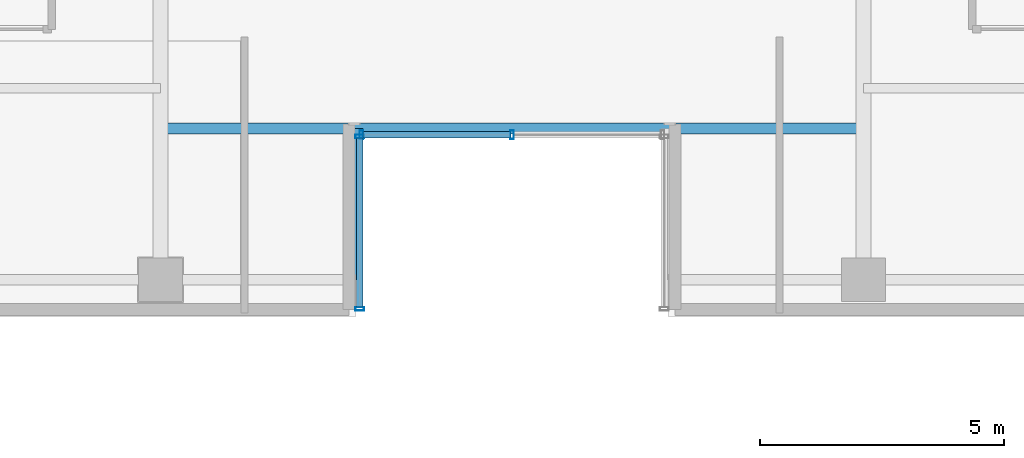
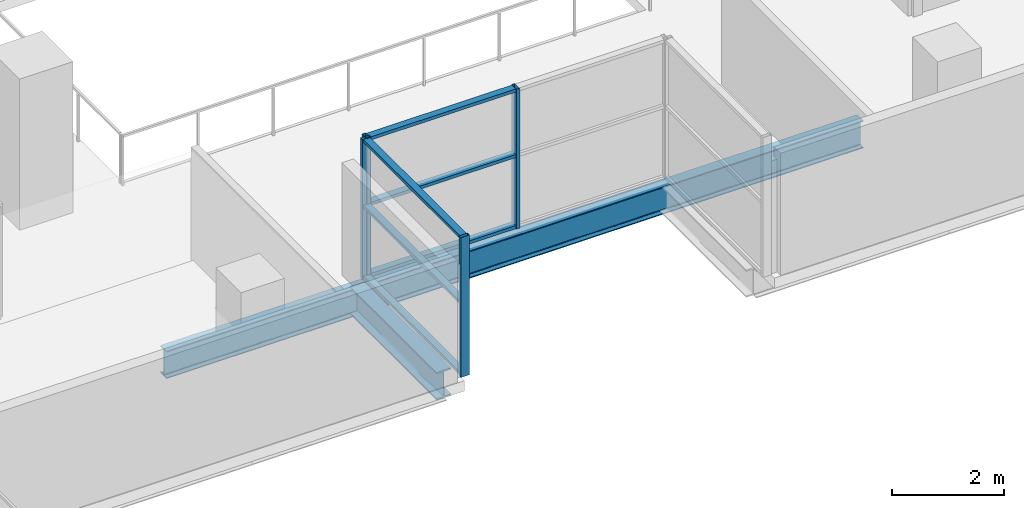
# One storey, part 3 of 31: 10 members, 2 beams, 2 elements without a shape of their own.
"""IFC4 building model written with IfcOpenShell, lengths in metres."""

import ifcopenshell
import ifcopenshell.guid

model = None  # the IFC model being written
_history = None  # IfcOwnerHistory: only IFC2X3 demands one
_inside = {}  # id of a spatial element -> (the spatial element, [elements in it])
_under = {}  # id of a project, library or spatial element -> (it, [spatial elements below it])
_declared = {}  # id of a project -> (the project, [libraries it declares])
_typed = {}  # id of a type object -> (the type object, [elements of that type])
_made_of = {}  # id of a material, layer set ... -> (it, [elements and type objects made of it])


def new_model(schema):
    """Start an empty IFC model of exactly this schema.

    Asked for "IFC4X3", IfcOpenShell would pick the latest addendum, in which some entities
    have other attributes; the version numbers below select the first issue.
    IFC2X3 requires an IfcOwnerHistory on every rooted entity: one is made here for all.
    """
    global model, _history
    if schema == "IFC4X3":
        model = ifcopenshell.file(schema_version=(4, 3, 0, 0))
    else:
        model = ifcopenshell.file(schema=schema)
    _inside.clear()
    _under.clear()
    _declared.clear()
    _typed.clear()
    _made_of.clear()
    _history = None
    if model.schema == "IFC2X3":
        org = make("IfcOrganization", Name="unknown")
        user = make(
            "IfcPersonAndOrganization",
            ThePerson=make("IfcPerson", FamilyName="unknown"),
            TheOrganization=org,
        )
        app = make(
            "IfcApplication",
            ApplicationDeveloper=org,
            Version="unknown",
            ApplicationFullName="unknown",
            ApplicationIdentifier="unknown",
        )
        _history = make(
            "IfcOwnerHistory",
            OwningUser=user,
            OwningApplication=app,
            ChangeAction="ADDED",
            CreationDate=0,
        )
    return model


def make(cls, **values):
    """One entity of the class cls with the attributes given. An attribute that is None is left unset."""
    return model.create_entity(
        cls, **{name: value for name, value in values.items() if value is not None}
    )


def rooted(cls, **values):
    """An entity with a GlobalId (a new one), such as an element, a storey or a relation."""
    return make(cls, GlobalId=ifcopenshell.guid.new(), OwnerHistory=_history, **values)


def si_unit(unit_type, name, prefix=None):
    """IfcSIUnit, for example si_unit("LENGTHUNIT", "METRE", prefix="MILLI")."""
    return make("IfcSIUnit", UnitType=unit_type, Prefix=prefix, Name=name)


def assignment(units):
    """IfcUnitAssignment: the units of a project."""
    return None if units is None else make("IfcUnitAssignment", Units=units)


def point(xyz):
    """IfcCartesianPoint."""
    return None if xyz is None else make("IfcCartesianPoint", Coordinates=xyz)


def direction(xyz):
    """IfcDirection."""
    return None if xyz is None else make("IfcDirection", DirectionRatios=xyz)


def frame(location, z_axis=None, x_axis=None):
    """IfcAxis2Placement3D, a coordinate frame: its origin and axes. An axis left out is left unset."""
    return make(
        "IfcAxis2Placement3D",
        Location=point(location),
        Axis=direction(z_axis),
        RefDirection=direction(x_axis),
    )


def frame_2d(location, x_axis=None):
    """IfcAxis2Placement2D, a coordinate frame in the plane: its origin and x axis."""
    return make(
        "IfcAxis2Placement2D", Location=point(location), RefDirection=direction(x_axis)
    )


def origin():
    """The frame at (0, 0, 0) with its axes left unset."""
    return frame((0.0, 0.0, 0.0))


def origin_2d():
    """The frame at (0, 0) in the plane with its x axis left unset."""
    return frame_2d((0.0, 0.0))


def place(relative_to, where):
    """IfcLocalPlacement: puts the frame where relative to a parent placement (None: the world)."""
    return make(
        "IfcLocalPlacement", PlacementRelTo=relative_to, RelativePlacement=where
    )


def context(
    kind, dimensions, precision=None, world=None, true_north=None, identifier=None
):
    """IfcGeometricRepresentationContext, for example the 3D "Model" context."""
    return make(
        "IfcGeometricRepresentationContext",
        ContextIdentifier=identifier,
        ContextType=kind,
        CoordinateSpaceDimension=dimensions,
        Precision=precision,
        WorldCoordinateSystem=world,
        TrueNorth=true_north,
    )


def subcontext(parent, identifier, kind, view, scale=None):
    """IfcGeometricRepresentationSubContext, for example "Body" below "Model"."""
    return make(
        "IfcGeometricRepresentationSubContext",
        ContextIdentifier=identifier,
        ContextType=kind,
        ParentContext=parent,
        TargetScale=scale,
        TargetView=view,
    )


def project(units=None, contexts=None):
    """IfcProject with its units and contexts."""
    return rooted(
        "IfcProject",
        Name="project",
        RepresentationContexts=contexts,
        UnitsInContext=assignment(units),
    )


def spatial(cls, under=None, at=None, **own):
    """A site, building, storey or space (cls), placed at a placement, below another one or the project."""
    s = rooted(cls, ObjectPlacement=at, **own)
    if under is not None:
        _under.setdefault(under.id(), (under, []))[1].append(s)
    return s


def profile(cls, at=None, kind="AREA", **sizes):
    """A parametric profile (cls). Its sizes go by their IFC names, for example OverallWidth=200.0."""
    return make(cls, ProfileType=kind, Position=at, **sizes)


def hollow_rectangle(**sizes):
    """IfcRectangleHollowProfileDef."""
    return profile("IfcRectangleHollowProfileDef", **sizes)


def i_section(**sizes):
    """IfcIShapeProfileDef."""
    return profile("IfcIShapeProfileDef", **sizes)


def extrude(swept, where, along, depth):
    """IfcExtrudedAreaSolid: the profile swept, set in the frame where, extruded along a direction by depth."""
    return make(
        "IfcExtrudedAreaSolid",
        SweptArea=swept,
        Position=where,
        ExtrudedDirection=direction(along),
        Depth=depth,
    )


def shape(context_of_items, identifier, shape_type, items):
    """IfcShapeRepresentation: the items that make up one representation, for example the "Body"."""
    return make(
        "IfcShapeRepresentation",
        ContextOfItems=context_of_items,
        RepresentationIdentifier=identifier,
        RepresentationType=shape_type,
        Items=items,
    )


def source(mapping_origin, context_of_items, identifier, shape_type, items):
    """IfcRepresentationMap: a shape defined once, which mapped items show again and again."""
    return make(
        "IfcRepresentationMap",
        MappingOrigin=mapping_origin,
        MappedRepresentation=shape(context_of_items, identifier, shape_type, items),
    )


def transform(
    local_origin,
    x_axis=None,
    y_axis=None,
    z_axis=None,
    scale=None,
    scale2=None,
    scale3=None,
    uniform=True,
):
    """IfcCartesianTransformationOperator3D, or its non-uniform kind. x_axis, y_axis, z_axis: its Axis1, 2, 3."""
    if uniform:
        return make(
            "IfcCartesianTransformationOperator3D",
            Axis1=direction(x_axis),
            Axis2=direction(y_axis),
            LocalOrigin=point(local_origin),
            Scale=scale,
            Axis3=direction(z_axis),
        )
    return make(
        "IfcCartesianTransformationOperator3DnonUniform",
        Axis1=direction(x_axis),
        Axis2=direction(y_axis),
        LocalOrigin=point(local_origin),
        Scale=scale,
        Axis3=direction(z_axis),
        Scale2=scale2,
        Scale3=scale3,
    )


def mapped(mapping_source, mapping_target):
    """IfcMappedItem: shows the shape of a source again, moved by a transform."""
    return make(
        "IfcMappedItem", MappingSource=mapping_source, MappingTarget=mapping_target
    )


def material(Name=None, Category=None):
    """IfcMaterial."""
    return make("IfcMaterial", Name=Name, Category=Category)


def layer(
    of_material, thickness, ventilated=None, Name=None, Category=None, Priority=None
):
    """IfcMaterialLayer: one layer of a wall or slab, of a material (None: an air gap)."""
    return make(
        "IfcMaterialLayer",
        Material=of_material,
        LayerThickness=thickness,
        IsVentilated=ventilated,
        Name=Name,
        Category=Category,
        Priority=Priority,
    )


def layer_set(layers, Name=None):
    """IfcMaterialLayerSet."""
    return make("IfcMaterialLayerSet", MaterialLayers=layers, LayerSetName=Name)


def material_profile(
    of_material, cross_section, Name=None, Category=None, Priority=None
):
    """IfcMaterialProfile: a cross section and its material."""
    return make(
        "IfcMaterialProfile",
        Name=Name,
        Material=of_material,
        Profile=cross_section,
        Priority=Priority,
        Category=Category,
    )


def profile_set(profiles, Name=None, composite=None):
    """IfcMaterialProfileSet."""
    return make(
        "IfcMaterialProfileSet",
        Name=Name,
        MaterialProfiles=profiles,
        CompositeProfile=composite,
    )


def made_of(thing, what):
    """Note that an element or type object is made of a material, layer set ...; save() writes the relation."""
    if what is not None:
        _made_of.setdefault(what.id(), (what, []))[1].append(thing)
    return thing


def type_object(cls, material=None, **own):
    """A type object (cls), such as IfcWallType, which elements share."""
    return made_of(rooted(cls, **own), material)


def element(
    cls,
    number,
    at=None,
    inside=None,
    cuts=None,
    type_object=None,
    material=None,
    context=None,
    identifier="Body",
    shape_type=None,
    held_by="IfcProductDefinitionShape",
    body=None,
    shapes=None,
    **own,
):
    """One element of the class cls, such as IfcWall. Its Tag is "e" and its number.

    at: its placement. inside: the storey or other place that contains it. cuts: it is an
    opening in that element (IfcRelVoidsElement). A single representation is given by context,
    identifier, shape_type and body (its items); several are given by shapes. held_by: the class
    of the entity that holds the representations. save() writes the other relations.
    """
    e = rooted(cls, Tag="e%d" % number, ObjectPlacement=at, **own)
    if body is not None:
        shapes = [shape(context, identifier, shape_type, body)]
    if shapes is not None:
        e.Representation = make(held_by, Representations=shapes)
    if inside is not None:
        _inside.setdefault(inside.id(), (inside, []))[1].append(e)
    if cuts is not None:
        rooted(
            "IfcRelVoidsElement", RelatingBuildingElement=cuts, RelatedOpeningElement=e
        )
    if type_object is not None:
        _typed.setdefault(type_object.id(), (type_object, []))[1].append(e)
    return made_of(e, material)


def aggregate(whole, parts):
    """IfcRelAggregates: a whole, such as a stair, and the parts it consists of."""
    return rooted("IfcRelAggregates", RelatingObject=whole, RelatedObjects=parts)


def save(model, path):
    """Write the relations noted so far, then the file.

    IfcRelAggregates (storeys below a building ...), IfcRelContainedInSpatialStructure (elements
    in a storey), IfcRelDefinesByType, IfcRelAssociatesMaterial and IfcRelDeclares: one each for
    every whole, place, type object, material and project.
    """
    for whole, parts in _under.values():
        aggregate(whole, parts)
    for where, things in _inside.values():
        rooted(
            "IfcRelContainedInSpatialStructure",
            RelatedElements=things,
            RelatingStructure=where,
        )
    for kind, things in _typed.values():
        rooted("IfcRelDefinesByType", RelatedObjects=things, RelatingType=kind)
    for what, things in _made_of.values():
        rooted("IfcRelAssociatesMaterial", RelatedObjects=things, RelatingMaterial=what)
    for by, libraries in _declared.values():
        rooted("IfcRelDeclares", RelatingContext=by, RelatedDefinitions=libraries)
    model.write(path)


model = new_model("IFC4")

# Units and contexts
model_context = context("Model", 3, precision=1e-05, world=origin(), true_north=direction((0.0, 1.0)))
body_context = subcontext(model_context, "Body", "Model", "MODEL_VIEW")
ifc_project = project(units=[si_unit("LENGTHUNIT", "METRE"), si_unit("AREAUNIT", "SQUARE_METRE"), si_unit("VOLUMEUNIT", "CUBIC_METRE"), si_unit("PLANEANGLEUNIT", "RADIAN"), si_unit("MASSUNIT", "GRAM", prefix="KILO")], contexts=[model_context])

# Site, building, storey
site_placement = place(None, origin())
site = spatial("IfcSite", under=ifc_project, at=site_placement, CompositionType="ELEMENT")
building_placement = place(site_placement, origin())
building = spatial("IfcBuilding", under=site, at=building_placement, Name="Zarnakvel Exchange Tower", CompositionType="ELEMENT")
storey_placement = place(building_placement, frame((0.0, 0.0, 60.39990234375)))
storey = spatial("IfcBuildingStorey", under=building, at=storey_placement, Name="L16", CompositionType="ELEMENT", Elevation=60.39990234375)

# Beams
ifc_material_1 = material(Name="Steel S355", Category="steel")
ifc_material_profile_1 = material_profile(ifc_material_1, i_section(OverallWidth=0.300048828125, OverallDepth=0.60009765625, WebThickness=0.015380859375, FlangeThickness=0.030029296875, FilletRadius=0.027099609375, at=origin_2d()))
ifc_profile_set_1 = profile_set([ifc_material_profile_1], Name="Steel S355")
beam_type_1 = type_object("IfcBeamType", Name="G-04", PredefinedType="BEAM", material=ifc_profile_set_1)
beam_1_placement = place(storey_placement, frame((-3.199951171875, -17.449951171875, -0.52490234375), z_axis=(0.0, 1.0, 0.0), x_axis=(-1.0, 0.0, 0.0)))
element("IfcBeam", 1, at=beam_1_placement, inside=storey, type_object=beam_type_1, Name="L16 South Slot West Cheek Beam", PredefinedType="BEAM", context=body_context, shape_type="SweptSolid", body=[
    extrude(i_section(OverallWidth=0.300048828125, OverallDepth=0.60009765625, WebThickness=0.015380859375, FlangeThickness=0.030029296875, FilletRadius=0.027099609375, at=origin_2d()), origin(), (0.0, 0.0, 1.0), 3.099853515625),
])
ifc_material_profile_2 = material_profile(ifc_material_1, i_section(OverallWidth=0.219970703125, OverallDepth=0.60009765625, WebThickness=0.011962890625, FlangeThickness=0.01904296875, FilletRadius=0.02392578125, at=origin_2d()))
ifc_profile_set_2 = profile_set([ifc_material_profile_2], Name="Steel S355")
beam_type_2 = type_object("IfcBeamType", Name="SP-01", PredefinedType="SPANDREL", material=ifc_profile_set_2)
beam_2_placement = place(storey_placement, frame((-7.199951171875, -14.35009765625, -0.52490234375), z_axis=(1.0, 0.0, 0.0), x_axis=(0.0, 1.0, 0.0)))
element("IfcBeam", 2, at=beam_2_placement, inside=storey, type_object=beam_type_2, Name="L16 South Slot Head Trimmer Girder", PredefinedType="SPANDREL", context=body_context, shape_type="SweptSolid", body=[
    extrude(i_section(OverallWidth=0.219970703125, OverallDepth=0.60009765625, WebThickness=0.011962890625, FlangeThickness=0.01904296875, FilletRadius=0.02392578125, at=origin_2d()), origin(), (0.0, 0.0, 1.0), 14.39990234375),
])

# Curtain wall, members
ifc_material_2 = material(Name="Architectural Bronze Anodised Aluminium", Category="aluminium")
ifc_layer = layer(ifc_material_2, 0.179931640625)
ifc_layer_set = layer_set([ifc_layer], Name="Architectural Bronze Anodised Aluminium")
curtain_wall_type = type_object("IfcCurtainWallType", Name="CW-05", PredefinedType="NOTDEFINED", material=ifc_layer_set)
curtain_wall_1_placement = place(storey_placement, origin())
curtain_wall_1 = element("IfcCurtainWall", 3, at=curtain_wall_1_placement, inside=storey, type_object=curtain_wall_type, Name="L16 Curtain Wall CW-L16-SLW (CW-05)", PredefinedType="NOTDEFINED")
ifc_material_profile_3 = material_profile(ifc_material_2, hollow_rectangle(XDim=0.179931640625, YDim=0.070068359375, WallThickness=0.00390625, at=origin_2d()))
ifc_profile_set_3 = profile_set([ifc_material_profile_3], Name="Architectural Bronze Anodised Aluminium")
member_type_1 = type_object("IfcMemberType", Name="CWM-05", PredefinedType="MULLION", material=ifc_profile_set_3)
shared_shape_1 = source(origin(), body_context, "Body", "SweptSolid", [
    extrude(hollow_rectangle(XDim=0.179931640625, YDim=0.070068359375, WallThickness=0.00390625, at=origin_2d()), origin(), (0.0, 0.0, 1.0), 3.05517578125),
])
member_1_placement = place(storey_placement, frame((-3.1201171875, -18.044921875, 0.0), z_axis=(0.0, 0.0, 1.0), x_axis=(-1.0, 0.0, 0.0)))
member_1 = element("IfcMember", 4, at=member_1_placement, type_object=member_type_1, Name="CW-05 mullion 1", PredefinedType="MULLION", context=body_context, shape_type="MappedRepresentation", body=[
    mapped(shared_shape_1, transform((0.0, 0.0, 0.0), x_axis=(1.0, 0.0, 0.0), y_axis=(0.0, 1.0, 0.0), z_axis=(0.0, 0.0, 1.0), scale=1.0)),
])
member_2_placement = place(storey_placement, frame((-3.1201171875, -14.514892578125, 0.0), z_axis=(0.0, 0.0, 1.0), x_axis=(-1.0, 0.0, 0.0)))
member_2 = element("IfcMember", 5, at=member_2_placement, type_object=member_type_1, Name="CW-05 mullion 2", PredefinedType="MULLION", context=body_context, shape_type="MappedRepresentation", body=[
    mapped(shared_shape_1, transform((0.0, 0.0, 0.0), x_axis=(1.0, 0.0, 0.0), y_axis=(0.0, 1.0, 0.0), z_axis=(0.0, 0.0, 1.0), scale=1.0)),
])

curtain_wall_2_placement = place(storey_placement, origin())
curtain_wall_2 = element("IfcCurtainWall", 6, at=curtain_wall_2_placement, inside=storey, type_object=curtain_wall_type, Name="L16 Curtain Wall CW-L16-SLB (CW-05)", PredefinedType="NOTDEFINED")
member_3_placement = place(storey_placement, frame((-3.0849609375, -14.47998046875, 0.0), z_axis=(0.0, 0.0, 1.0), x_axis=(0.0, 1.0, 0.0)))
member_3 = element("IfcMember", 7, at=member_3_placement, type_object=member_type_1, Name="CW-05 mullion 1", PredefinedType="MULLION", context=body_context, shape_type="MappedRepresentation", body=[
    mapped(shared_shape_1, transform((0.0, 0.0, 0.0), x_axis=(1.0, 0.0, 0.0), y_axis=(0.0, 1.0, 0.0), z_axis=(0.0, 0.0, 1.0), scale=1.0)),
])
member_4_placement = place(storey_placement, frame((0.0, -14.47998046875, 0.0), z_axis=(0.0, 0.0, 1.0), x_axis=(0.0, 1.0, 0.0)))
member_4 = element("IfcMember", 8, at=member_4_placement, type_object=member_type_1, Name="CW-05 mullion 2", PredefinedType="MULLION", context=body_context, shape_type="MappedRepresentation", body=[
    mapped(shared_shape_1, transform((0.0, 0.0, 0.0), x_axis=(1.0, 0.0, 0.0), y_axis=(0.0, 1.0, 0.0), z_axis=(0.0, 0.0, 1.0), scale=1.0)),
])

# Member
ifc_material_profile_4 = material_profile(ifc_material_2, hollow_rectangle(XDim=0.139892578125, YDim=0.070068359375, WallThickness=0.00390625, at=origin_2d()))
ifc_profile_set_4 = profile_set([ifc_material_profile_4], Name="Architectural Bronze Anodised Aluminium")
member_type_2 = type_object("IfcMemberType", Name="CWT-05", PredefinedType="USERDEFINED", material=ifc_profile_set_4)
shared_shape_2 = source(origin(), body_context, "Body", "SweptSolid", [
    extrude(hollow_rectangle(XDim=0.139892578125, YDim=0.070068359375, WallThickness=0.00390625, at=origin_2d()), origin(), (0.0, 0.0, 1.0), 3.4599609375),
])
member_5_placement = place(storey_placement, frame((-3.1201171875, -18.010009765625, 0.03515625), z_axis=(0.0, 1.0, 0.0), x_axis=(-1.0, 0.0, 0.0)))
member_5 = element("IfcMember", 9, at=member_5_placement, type_object=member_type_2, Name="CW-05 transom 1.1", ObjectType="TRANSOM", PredefinedType="USERDEFINED", context=body_context, shape_type="MappedRepresentation", body=[
    mapped(shared_shape_2, transform((0.0, 0.0, 0.0), x_axis=(1.0, 0.0, 0.0), y_axis=(0.0, 1.0, 0.0), z_axis=(0.0, 0.0, 1.0), scale=1.0)),
])

member_6_placement = place(storey_placement, frame((-3.1201171875, -18.010009765625, 1.588623046875), z_axis=(0.0, 1.0, 0.0), x_axis=(-1.0, 0.0, 0.0)))
member_6 = element("IfcMember", 10, at=member_6_placement, type_object=member_type_2, Name="CW-05 transom 1.2", ObjectType="TRANSOM", PredefinedType="USERDEFINED", context=body_context, shape_type="MappedRepresentation", body=[
    mapped(shared_shape_2, transform((0.0, 0.0, 0.0), x_axis=(1.0, 0.0, 0.0), y_axis=(0.0, 1.0, 0.0), z_axis=(0.0, 0.0, 1.0), scale=1.0)),
])

member_7_placement = place(storey_placement, frame((-3.1201171875, -18.010009765625, 3.02001953125), z_axis=(0.0, 1.0, 0.0), x_axis=(-1.0, 0.0, 0.0)))
member_7 = element("IfcMember", 11, at=member_7_placement, type_object=member_type_2, Name="CW-05 transom 1.3", ObjectType="TRANSOM", PredefinedType="USERDEFINED", context=body_context, shape_type="MappedRepresentation", body=[
    mapped(shared_shape_2, transform((0.0, 0.0, 0.0), x_axis=(1.0, 0.0, 0.0), y_axis=(0.0, 1.0, 0.0), z_axis=(0.0, 0.0, 1.0), scale=1.0)),
])

aggregate(curtain_wall_1, [member_1, member_2, member_5, member_6, member_7])

shared_shape_3 = source(origin(), body_context, "Body", "SweptSolid", [
    extrude(hollow_rectangle(XDim=0.139892578125, YDim=0.070068359375, WallThickness=0.00390625, at=origin_2d()), origin(), (0.0, 0.0, 1.0), 3.01513671875),
])
member_8_placement = place(storey_placement, frame((-3.050048828125, -14.47998046875, 0.03515625), z_axis=(1.0, 0.0, 0.0), x_axis=(0.0, 1.0, 0.0)))
member_8 = element("IfcMember", 12, at=member_8_placement, type_object=member_type_2, Name="CW-05 transom 1.1", ObjectType="TRANSOM", PredefinedType="USERDEFINED", context=body_context, shape_type="MappedRepresentation", body=[
    mapped(shared_shape_3, transform((0.0, 0.0, 0.0), x_axis=(1.0, 0.0, 0.0), y_axis=(0.0, 1.0, 0.0), z_axis=(0.0, 0.0, 1.0), scale=1.0)),
])

member_9_placement = place(storey_placement, frame((-3.050048828125, -14.47998046875, 1.588623046875), z_axis=(1.0, 0.0, 0.0), x_axis=(0.0, 1.0, 0.0)))
member_9 = element("IfcMember", 13, at=member_9_placement, type_object=member_type_2, Name="CW-05 transom 1.2", ObjectType="TRANSOM", PredefinedType="USERDEFINED", context=body_context, shape_type="MappedRepresentation", body=[
    mapped(shared_shape_3, transform((0.0, 0.0, 0.0), x_axis=(1.0, 0.0, 0.0), y_axis=(0.0, 1.0, 0.0), z_axis=(0.0, 0.0, 1.0), scale=1.0)),
])

member_10_placement = place(storey_placement, frame((-3.050048828125, -14.47998046875, 3.02001953125), z_axis=(1.0, 0.0, 0.0), x_axis=(0.0, 1.0, 0.0)))
member_10 = element("IfcMember", 14, at=member_10_placement, type_object=member_type_2, Name="CW-05 transom 1.3", ObjectType="TRANSOM", PredefinedType="USERDEFINED", context=body_context, shape_type="MappedRepresentation", body=[
    mapped(shared_shape_3, transform((0.0, 0.0, 0.0), x_axis=(1.0, 0.0, 0.0), y_axis=(0.0, 1.0, 0.0), z_axis=(0.0, 0.0, 1.0), scale=1.0)),
])

aggregate(curtain_wall_2, [member_3, member_4, member_8, member_9, member_10])

save(model, "model.ifc")
